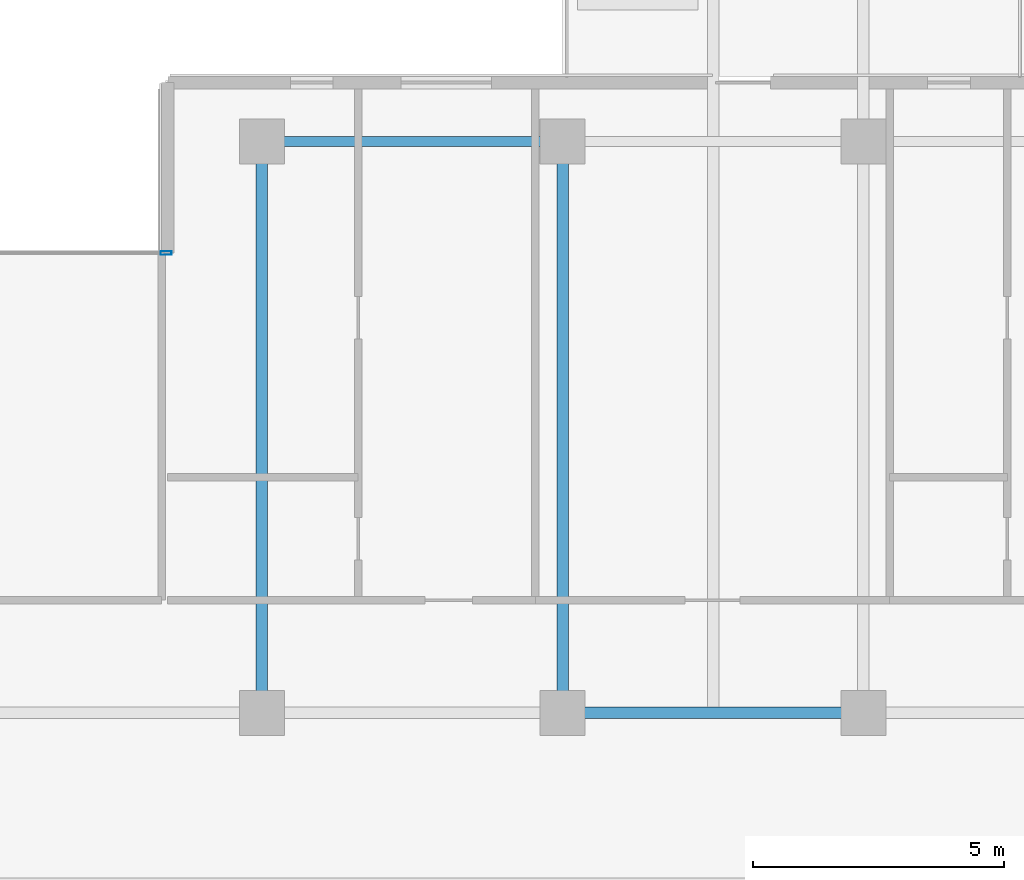
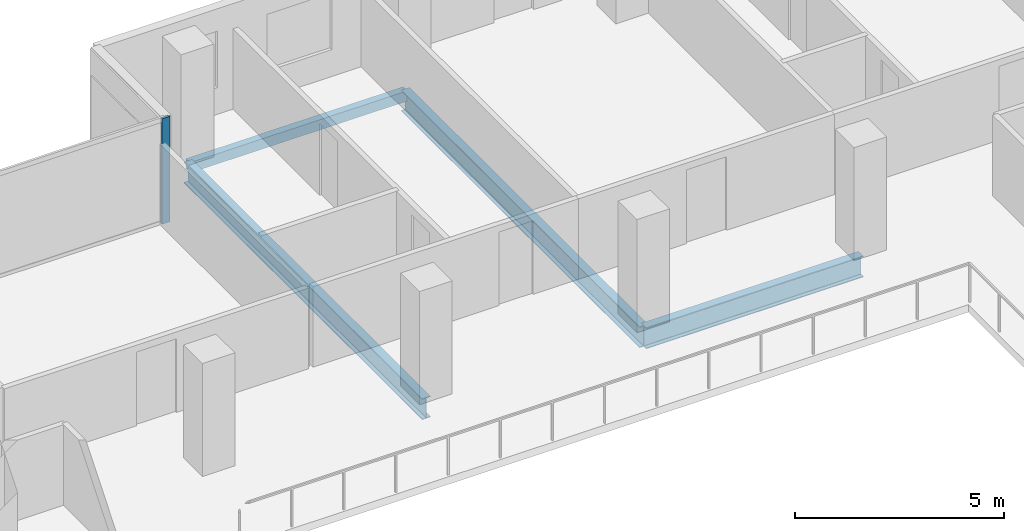
# One storey, part 7 of 19: 4 beams, 1 member, 1 element without a shape of its own.
"""IFC4 building model written with IfcOpenShell, lengths in metres."""

from ifc_helpers import new_model, si_unit, direction, frame, origin, origin_2d, place, context, subcontext, project, spatial, hollow_rectangle, i_section, extrude, material, layer, layer_set, material_profile, profile_set, type_object, element, aggregate, save


model = new_model("IFC4")

# Units and contexts
model_context = context("Model", 3, precision=1e-05, world=origin(), true_north=direction((0.0, 1.0)))
body_context = subcontext(model_context, "Body", "Model", "MODEL_VIEW")
ifc_project = project(units=[si_unit("LENGTHUNIT", "METRE"), si_unit("AREAUNIT", "SQUARE_METRE"), si_unit("VOLUMEUNIT", "CUBIC_METRE"), si_unit("PLANEANGLEUNIT", "RADIAN"), si_unit("MASSUNIT", "GRAM", prefix="KILO")], contexts=[model_context])

# Site, building, storey
site_placement = place(None, origin())
site = spatial("IfcSite", under=ifc_project, at=site_placement, CompositionType="ELEMENT")
building_placement = place(site_placement, origin())
building = spatial("IfcBuilding", under=site, at=building_placement, Name="Tanjung Sevakor Pilgrim Tower", CompositionType="ELEMENT")
storey_placement = place(building_placement, frame((0.0, 0.0, 135.300048828125)))
storey = spatial("IfcBuildingStorey", under=building, at=storey_placement, Name="L37", CompositionType="ELEMENT", Elevation=135.300048828125)

# Beams
ifc_material_1 = material(Name="Steel S355J2", Category="steel")
ifc_material_profile_1 = material_profile(ifc_material_1, i_section(OverallWidth=0.230224609375, OverallDepth=0.6171875, WebThickness=0.01318359375, FlangeThickness=0.022216796875, FilletRadius=0.0126953125, at=origin_2d()))
ifc_profile_set_1 = profile_set([ifc_material_profile_1], Name="Steel S355J2")
beam_type_1 = type_object("IfcBeamType", Name="BM-B-G3-UB_610x229x140", PredefinedType="BEAM", material=ifc_profile_set_1)
beam_1_placement = place(storey_placement, frame((60.0, 42.60009765625, -0.528564453125), z_axis=(1.0, 0.0, 0.0), x_axis=(0.0, 1.0, 0.0)))
element("IfcBeam", 1, at=beam_1_placement, inside=storey, type_object=beam_type_1, Name="L37 Primary Floor Girder MAIN Y426-05", PredefinedType="BEAM", context=body_context, shape_type="SweptSolid", body=[
    extrude(i_section(OverallWidth=0.230224609375, OverallDepth=0.6171875, WebThickness=0.01318359375, FlangeThickness=0.022216796875, FilletRadius=0.0126953125, at=origin_2d()), origin(), (0.0, 0.0, 1.0), 6.0),
])
ifc_material_2 = material(Name="Steel S355J2", Category="steel")
ifc_material_profile_2 = material_profile(ifc_material_2, i_section(OverallWidth=0.22900390625, OverallDepth=0.6123046875, WebThickness=0.011962890625, FlangeThickness=0.01953125, FilletRadius=0.0126953125, at=origin_2d()))
ifc_profile_set_2 = profile_set([ifc_material_profile_2], Name="Steel S355J2")
beam_type_2 = type_object("IfcBeamType", Name="BM-B-G4-UB_610x229x125", PredefinedType="BEAM", material=ifc_profile_set_2)
for number, where, z_axis, x_axis, name in (
    (2, (54.0, 42.60009765625, -0.526123046875), (0.0, 1.0, 0.0), (-1.0, 0.0, 0.0), "L37 MAIN Girder 011"),
    (3, (60.0, 42.60009765625, -0.526123046875), (0.0, 1.0, 0.0), (-1.0, 0.0, 0.0), "L37 MAIN Girder 013"),
):
    element("IfcBeam", number, at=place(storey_placement, frame(where, z_axis=z_axis, x_axis=x_axis)), inside=storey, type_object=beam_type_2, Name=name, PredefinedType="BEAM", context=body_context, shape_type="SweptSolid", body=[
        extrude(i_section(OverallWidth=0.22900390625, OverallDepth=0.6123046875, WebThickness=0.011962890625, FlangeThickness=0.01953125, FilletRadius=0.0126953125, at=origin_2d()), origin(), (0.0, 0.0, 1.0), 11.39990234375),
    ])
ifc_material_3 = material(Name="Steel S355J2", Category="steel")
ifc_material_profile_3 = material_profile(ifc_material_3, hollow_rectangle(XDim=0.199951171875, YDim=0.300048828125, WallThickness=0.012451171875, at=origin_2d()))
ifc_profile_set_3 = profile_set([ifc_material_profile_3], Name="Steel S355J2")
beam_type_3 = type_object("IfcBeamType", Name="BM-B-SP3-RHS_300x200x12.5", PredefinedType="SPANDREL", material=ifc_profile_set_3)
beam_2_placement = place(storey_placement, frame((54.0, 54.0, -0.3701171875), z_axis=(1.0, 0.0, 0.0), x_axis=(0.0, 1.0, 0.0)))
element("IfcBeam", 4, at=beam_2_placement, inside=storey, type_object=beam_type_3, Name="L37 Spandrel MAIN N-08", PredefinedType="SPANDREL", context=body_context, shape_type="SweptSolid", body=[
    extrude(hollow_rectangle(XDim=0.199951171875, YDim=0.300048828125, WallThickness=0.012451171875, at=origin_2d()), origin(), (0.0, 0.0, 1.0), 6.0),
])

# Curtain wall, member
ifc_material_4 = material(Name="Aluminium 6063-T6 and Low-E Glass", Category="aluminium")
ifc_layer = layer(ifc_material_4, 0.179931640625)
ifc_layer_set = layer_set([ifc_layer], Name="CW-SYS-CLEFT")
curtain_wall_type = type_object("IfcCurtainWallType", Name="CW-SYS-CLEFT", PredefinedType="NOTDEFINED", material=ifc_layer_set)
curtain_wall_placement = place(storey_placement, origin())
curtain_wall = element("IfcCurtainWall", 5, at=curtain_wall_placement, inside=storey, type_object=curtain_wall_type, Name="L37 Curtain Wall CW-CLF-L37-10", PredefinedType="NOTDEFINED")
ifc_material_5 = material(Name="Aluminium 6063-T6", Category="aluminium")
ifc_material_profile_4 = material_profile(ifc_material_5, hollow_rectangle(XDim=0.074951171875, YDim=0.219970703125, WallThickness=0.0048828125, at=origin_2d()))
ifc_profile_set_4 = profile_set([ifc_material_profile_4], Name="Aluminium 6063-T6")
member_type = type_object("IfcMemberType", Name="TYPE-CWM-2", PredefinedType="MULLION", material=ifc_profile_set_4)
member_placement = place(storey_placement, frame((52.08740234375, 51.77490234375, 0.0), z_axis=(0.0, 0.0, 1.0), x_axis=(0.0, -1.0, 0.0)))
member = element("IfcMember", 6, at=member_placement, type_object=member_type, Name="CW-CLF mullion 1", PredefinedType="MULLION", context=body_context, shape_type="SweptSolid", body=[
    extrude(hollow_rectangle(XDim=0.074951171875, YDim=0.219970703125, WallThickness=0.0048828125, at=origin_2d()), origin(), (0.0, 0.0, 1.0), 3.079833984375),
])
aggregate(curtain_wall, [member])

save(model, "model.ifc")
